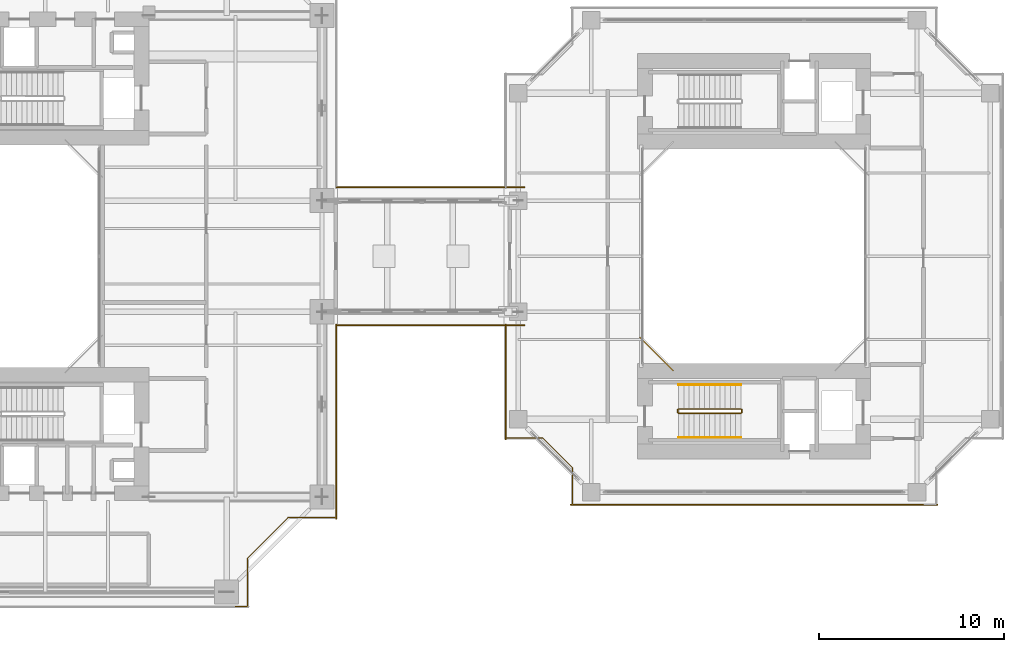
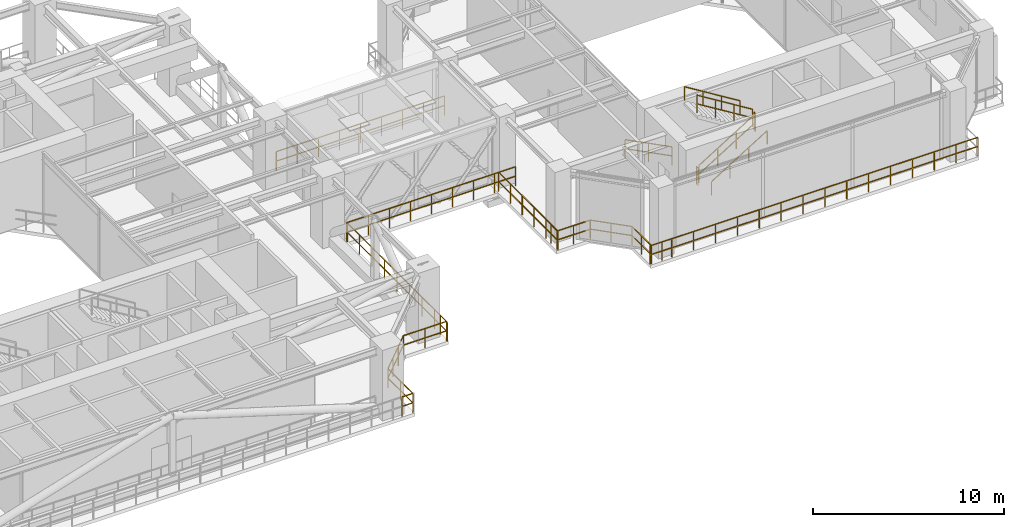
# One storey, part 23 of 26: 14 railings.
"""IFC4 building model written with IfcOpenShell, lengths in metres."""

from ifc_helpers import new_model, si_unit, direction, frame, origin, origin_2d, place, context, subcontext, project, spatial, rectangle, extrude, material, type_object, element, save


model = new_model("IFC4")

# Units and contexts
model_context = context("Model", 3, precision=1e-05, world=origin(), true_north=direction((0.0, 1.0)))
body_context = subcontext(model_context, "Body", "Model", "MODEL_VIEW")
ifc_project = project(units=[si_unit("LENGTHUNIT", "METRE"), si_unit("AREAUNIT", "SQUARE_METRE"), si_unit("VOLUMEUNIT", "CUBIC_METRE"), si_unit("PLANEANGLEUNIT", "RADIAN"), si_unit("MASSUNIT", "GRAM", prefix="KILO"), si_unit("THERMODYNAMICTEMPERATUREUNIT", "KELVIN"), si_unit("POWERUNIT", "WATT")], contexts=[model_context])

# Site, building, storey
site_placement = place(None, origin())
site = spatial("IfcSite", under=ifc_project, at=site_placement, CompositionType="ELEMENT")
building_placement = place(site_placement, origin())
building = spatial("IfcBuilding", under=site, at=building_placement, Name="Qiaomeng Ring Towers", CompositionType="ELEMENT")
storey_placement = place(building_placement, frame((0.0, 0.0, 45.75)))
storey = spatial("IfcBuildingStorey", under=building, at=storey_placement, Name="L12", CompositionType="ELEMENT", Elevation=45.75)

# Railings
ifc_material_1 = material(Name="Low-E pale-green laminated safety glass", Category="glass")
railing_type_1 = type_object("IfcRailingType", Name="ARC-RL-BAL1", PredefinedType="BALUSTRADE", material=ifc_material_1)
railing_1_placement = place(storey_placement, frame((54.320068359375, 18.6201171875, 0.0)))
element("IfcRailing", 1, at=railing_1_placement, inside=storey, type_object=railing_type_1, Name="L12 Balustrade ARC-BAL-WELL2-L12-4", PredefinedType="BALUSTRADE", context=body_context, shape_type="SweptSolid", body=[
    extrude(rectangle(XDim=0.048095703125, YDim=0.048095703125, at=origin_2d()), frame((0.0, 0.0, 1.17578125), z_axis=(0.707106781187, -0.707106781187, 0.0), x_axis=(0.707106781187, 0.707106781187, 0.0)), (0.0, 0.0, 1.0), 2.545654296875),
    extrude(rectangle(XDim=0.048095703125, YDim=0.048095703125, at=origin_2d()), frame((0.0, 0.0, 0.60009765625), z_axis=(0.707106781187, -0.707106781187, 0.0), x_axis=(0.707106781187, 0.707106781187, 0.0)), (0.0, 0.0, 1.0), 2.545654296875),
    extrude(rectangle(XDim=0.0419921875, YDim=0.0419921875, at=origin_2d()), origin(), (0.0, 0.0, 1.0), 1.15185546875),
    extrude(rectangle(XDim=0.0419921875, YDim=0.0419921875, at=origin_2d()), frame((0.89990234375, -0.89990234375, 0.0)), (0.0, 0.0, 1.0), 1.15185546875),
    extrude(rectangle(XDim=0.0419921875, YDim=0.0419921875, at=origin_2d()), frame((1.800048828125, -1.800048828125, 0.0)), (0.0, 0.0, 1.0), 1.15185546875),
])
railing_2_placement = place(storey_placement, frame((47.080078125, 13.830078125, 0.0)))
element("IfcRailing", 2, at=railing_2_placement, inside=storey, type_object=railing_type_1, Name="L12 Balustrade ARC-BAL-NOTCH2-L12-SW", PredefinedType="BALUSTRADE", context=body_context, shape_type="SweptSolid", body=[
    extrude(rectangle(XDim=0.048095703125, YDim=0.048095703125, at=origin_2d()), frame((0.0, 0.0, 1.17578125), z_axis=(0.0, -1.0, 0.0), x_axis=(1.0, 0.0, 0.0)), (0.0, 0.0, 1.0), 0.650146484375),
    extrude(rectangle(XDim=0.048095703125, YDim=0.048095703125, at=origin_2d()), frame((0.0, 0.0, 0.60009765625), z_axis=(0.0, -1.0, 0.0), x_axis=(1.0, 0.0, 0.0)), (0.0, 0.0, 1.0), 0.650146484375),
    extrude(rectangle(XDim=0.048095703125, YDim=0.048095703125, at=origin_2d()), frame((0.0, -0.650146484375, 1.17578125), z_axis=(1.0, 0.0, 0.0), x_axis=(0.0, 1.0, 0.0)), (0.0, 0.0, 1.0), 2.0),
    extrude(rectangle(XDim=0.048095703125, YDim=0.048095703125, at=origin_2d()), frame((0.0, -0.650146484375, 0.60009765625), z_axis=(1.0, 0.0, 0.0), x_axis=(0.0, 1.0, 0.0)), (0.0, 0.0, 1.0), 2.0),
    extrude(rectangle(XDim=0.048095703125, YDim=0.048095703125, at=origin_2d()), frame((2.0, -0.650146484375, 1.17578125), z_axis=(0.707106781187, -0.707106781187, 0.0), x_axis=(0.707106781187, 0.707106781187, 0.0)), (0.0, 0.0, 1.0), 2.262451171875),
    extrude(rectangle(XDim=0.048095703125, YDim=0.048095703125, at=origin_2d()), frame((2.0, -0.650146484375, 0.60009765625), z_axis=(0.707106781187, -0.707106781187, 0.0), x_axis=(0.707106781187, 0.707106781187, 0.0)), (0.0, 0.0, 1.0), 2.262451171875),
    extrude(rectangle(XDim=0.048095703125, YDim=0.048095703125, at=origin_2d()), frame((3.599853515625, -2.25, 1.17578125), z_axis=(0.0, -1.0, 0.0), x_axis=(1.0, 0.0, 0.0)), (0.0, 0.0, 1.0), 2.0),
    extrude(rectangle(XDim=0.048095703125, YDim=0.048095703125, at=origin_2d()), frame((3.599853515625, -2.25, 0.60009765625), z_axis=(0.0, -1.0, 0.0), x_axis=(1.0, 0.0, 0.0)), (0.0, 0.0, 1.0), 2.0),
    extrude(rectangle(XDim=0.048095703125, YDim=0.048095703125, at=origin_2d()), frame((3.599853515625, -4.25, 1.17578125), z_axis=(1.0, 0.0, 0.0), x_axis=(0.0, 1.0, 0.0)), (0.0, 0.0, 1.0), 0.650146484375),
    extrude(rectangle(XDim=0.048095703125, YDim=0.048095703125, at=origin_2d()), frame((3.599853515625, -4.25, 0.60009765625), z_axis=(1.0, 0.0, 0.0), x_axis=(0.0, 1.0, 0.0)), (0.0, 0.0, 1.0), 0.650146484375),
    extrude(rectangle(XDim=0.0419921875, YDim=0.0419921875, at=origin_2d()), origin(), (0.0, 0.0, 1.0), 1.15185546875),
    extrude(rectangle(XDim=0.0419921875, YDim=0.0419921875, at=origin_2d()), frame((0.0, -0.650146484375, 0.0)), (0.0, 0.0, 1.0), 1.15185546875),
    extrude(rectangle(XDim=0.0419921875, YDim=0.0419921875, at=origin_2d()), frame((1.0, -0.650146484375, 0.0)), (0.0, 0.0, 1.0), 1.15185546875),
    extrude(rectangle(XDim=0.0419921875, YDim=0.0419921875, at=origin_2d()), frame((2.0, -0.650146484375, 0.0)), (0.0, 0.0, 1.0), 1.15185546875),
    extrude(rectangle(XDim=0.0419921875, YDim=0.0419921875, at=origin_2d()), frame((2.7998046875, -1.4501953125, 0.0)), (0.0, 0.0, 1.0), 1.15185546875),
    extrude(rectangle(XDim=0.0419921875, YDim=0.0419921875, at=origin_2d()), frame((3.599853515625, -2.25, 0.0)), (0.0, 0.0, 1.0), 1.15185546875),
    extrude(rectangle(XDim=0.0419921875, YDim=0.0419921875, at=origin_2d()), frame((3.599853515625, -3.25, 0.0)), (0.0, 0.0, 1.0), 1.15185546875),
    extrude(rectangle(XDim=0.0419921875, YDim=0.0419921875, at=origin_2d()), frame((3.599853515625, -4.25, 0.0)), (0.0, 0.0, 1.0), 1.15185546875),
    extrude(rectangle(XDim=0.0419921875, YDim=0.0419921875, at=origin_2d()), frame((4.25, -4.25, 0.0)), (0.0, 0.0, 1.0), 1.15185546875),
])
railing_3_placement = place(storey_placement, frame((50.60009765625, 9.580078125, 0.0)))
element("IfcRailing", 3, at=railing_3_placement, inside=storey, type_object=railing_type_1, Name="L12 Balustrade ARC-BAL-T2S-L12", PredefinedType="BALUSTRADE", context=body_context, shape_type="SweptSolid", body=[
    extrude(rectangle(XDim=0.048095703125, YDim=0.048095703125, at=origin_2d()), frame((0.0, 0.0, 1.17578125), z_axis=(1.0, 0.0, 0.0), x_axis=(0.0, 1.0, 0.0)), (0.0, 0.0, 1.0), 19.7998046875),
    extrude(rectangle(XDim=0.048095703125, YDim=0.048095703125, at=origin_2d()), frame((0.0, 0.0, 0.60009765625), z_axis=(1.0, 0.0, 0.0), x_axis=(0.0, 1.0, 0.0)), (0.0, 0.0, 1.0), 19.7998046875),
    extrude(rectangle(XDim=0.0419921875, YDim=0.0419921875, at=origin_2d()), origin(), (0.0, 0.0, 1.0), 1.15185546875),
    extrude(rectangle(XDim=0.0419921875, YDim=0.0419921875, at=origin_2d()), frame((1.320068359375, 0.0, 0.0)), (0.0, 0.0, 1.0), 1.15185546875),
    extrude(rectangle(XDim=0.0419921875, YDim=0.0419921875, at=origin_2d()), frame((2.639892578125, 0.0, 0.0)), (0.0, 0.0, 1.0), 1.15185546875),
    extrude(rectangle(XDim=0.0419921875, YDim=0.0419921875, at=origin_2d()), frame((3.9599609375, 0.0, 0.0)), (0.0, 0.0, 1.0), 1.15185546875),
    extrude(rectangle(XDim=0.0419921875, YDim=0.0419921875, at=origin_2d()), frame((5.280029296875, 0.0, 0.0)), (0.0, 0.0, 1.0), 1.15185546875),
    extrude(rectangle(XDim=0.0419921875, YDim=0.0419921875, at=origin_2d()), frame((6.599853515625, 0.0, 0.0)), (0.0, 0.0, 1.0), 1.15185546875),
    extrude(rectangle(XDim=0.0419921875, YDim=0.0419921875, at=origin_2d()), frame((7.919921875, 0.0, 0.0)), (0.0, 0.0, 1.0), 1.15185546875),
    extrude(rectangle(XDim=0.0419921875, YDim=0.0419921875, at=origin_2d()), frame((9.239990234375, 0.0, 0.0)), (0.0, 0.0, 1.0), 1.15185546875),
    extrude(rectangle(XDim=0.0419921875, YDim=0.0419921875, at=origin_2d()), frame((10.559814453125, 0.0, 0.0)), (0.0, 0.0, 1.0), 1.15185546875),
    extrude(rectangle(XDim=0.0419921875, YDim=0.0419921875, at=origin_2d()), frame((11.8798828125, 0.0, 0.0)), (0.0, 0.0, 1.0), 1.15185546875),
    extrude(rectangle(XDim=0.0419921875, YDim=0.0419921875, at=origin_2d()), frame((13.199951171875, 0.0, 0.0)), (0.0, 0.0, 1.0), 1.15185546875),
    extrude(rectangle(XDim=0.0419921875, YDim=0.0419921875, at=origin_2d()), frame((14.519775390625, 0.0, 0.0)), (0.0, 0.0, 1.0), 1.15185546875),
    extrude(rectangle(XDim=0.0419921875, YDim=0.0419921875, at=origin_2d()), frame((15.83984375, 0.0, 0.0)), (0.0, 0.0, 1.0), 1.15185546875),
    extrude(rectangle(XDim=0.0419921875, YDim=0.0419921875, at=origin_2d()), frame((17.159912109375, 0.0, 0.0)), (0.0, 0.0, 1.0), 1.15185546875),
    extrude(rectangle(XDim=0.0419921875, YDim=0.0419921875, at=origin_2d()), frame((18.479736328125, 0.0, 0.0)), (0.0, 0.0, 1.0), 1.15185546875),
    extrude(rectangle(XDim=0.0419921875, YDim=0.0419921875, at=origin_2d()), frame((19.7998046875, 0.0, 0.0)), (0.0, 0.0, 1.0), 1.15185546875),
])
ifc_material_2 = material(Name="Stainless steel 316", Category="steel")
railing_type_2 = type_object("IfcRailingType", Name="ARC-RL-BAL2", PredefinedType="BALUSTRADE", material=ifc_material_2)
railing_4_placement = place(storey_placement, frame((32.469970703125, 4.080078125, 0.0)))
element("IfcRailing", 4, at=railing_4_placement, inside=storey, type_object=railing_type_2, Name="L12 Balustrade ARC-BAL-REF-CNR-L12-SE", PredefinedType="BALUSTRADE", context=body_context, shape_type="SweptSolid", body=[
    extrude(rectangle(XDim=0.048095703125, YDim=0.048095703125, at=origin_2d()), frame((0.0, 0.0, 1.22607421875), z_axis=(1.0, 0.0, 0.0), x_axis=(0.0, 1.0, 0.0)), (0.0, 0.0, 1.0), 0.650146484375),
    extrude(rectangle(XDim=0.048095703125, YDim=0.048095703125, at=origin_2d()), frame((0.0, 0.0, 0.625), z_axis=(1.0, 0.0, 0.0), x_axis=(0.0, 1.0, 0.0)), (0.0, 0.0, 1.0), 0.650146484375),
    extrude(rectangle(XDim=0.048095703125, YDim=0.048095703125, at=origin_2d()), frame((0.650146484375, 0.0, 1.22607421875), z_axis=(0.0, 1.0, 0.0), x_axis=(-1.0, 0.0, 0.0)), (0.0, 0.0, 1.0), 2.599853515625),
    extrude(rectangle(XDim=0.048095703125, YDim=0.048095703125, at=origin_2d()), frame((0.650146484375, 0.0, 0.625), z_axis=(0.0, 1.0, 0.0), x_axis=(-1.0, 0.0, 0.0)), (0.0, 0.0, 1.0), 2.599853515625),
    extrude(rectangle(XDim=0.048095703125, YDim=0.048095703125, at=origin_2d()), frame((0.650146484375, 2.599853515625, 1.22607421875), z_axis=(0.707106781187, 0.707106781187, 0.0), x_axis=(-0.707106781187, 0.707106781187, 0.0)), (0.0, 0.0, 1.0), 3.111083984375),
    extrude(rectangle(XDim=0.048095703125, YDim=0.048095703125, at=origin_2d()), frame((0.650146484375, 2.599853515625, 0.625), z_axis=(0.707106781187, 0.707106781187, 0.0), x_axis=(-0.707106781187, 0.707106781187, 0.0)), (0.0, 0.0, 1.0), 3.111083984375),
    extrude(rectangle(XDim=0.048095703125, YDim=0.048095703125, at=origin_2d()), frame((2.85009765625, 4.7998046875, 1.22607421875), z_axis=(1.0, 0.0, 0.0), x_axis=(0.0, 1.0, 0.0)), (0.0, 0.0, 1.0), 2.599853515625),
    extrude(rectangle(XDim=0.048095703125, YDim=0.048095703125, at=origin_2d()), frame((2.85009765625, 4.7998046875, 0.625), z_axis=(1.0, 0.0, 0.0), x_axis=(0.0, 1.0, 0.0)), (0.0, 0.0, 1.0), 2.599853515625),
    extrude(rectangle(XDim=0.048095703125, YDim=0.048095703125, at=origin_2d()), frame((5.449951171875, 4.7998046875, 1.22607421875), z_axis=(0.0, 1.0, 0.0), x_axis=(-1.0, 0.0, 0.0)), (0.0, 0.0, 1.0), 0.650146484375),
    extrude(rectangle(XDim=0.048095703125, YDim=0.048095703125, at=origin_2d()), frame((5.449951171875, 4.7998046875, 0.625), z_axis=(0.0, 1.0, 0.0), x_axis=(-1.0, 0.0, 0.0)), (0.0, 0.0, 1.0), 0.650146484375),
    extrude(rectangle(XDim=0.0419921875, YDim=0.0419921875, at=origin_2d()), origin(), (0.0, 0.0, 1.0), 1.201904296875),
    extrude(rectangle(XDim=0.0419921875, YDim=0.0419921875, at=origin_2d()), frame((0.650146484375, 0.0, 0.0)), (0.0, 0.0, 1.0), 1.201904296875),
    extrude(rectangle(XDim=0.0419921875, YDim=0.0419921875, at=origin_2d()), frame((0.650146484375, 1.2998046875, 0.0)), (0.0, 0.0, 1.0), 1.201904296875),
    extrude(rectangle(XDim=0.0419921875, YDim=0.0419921875, at=origin_2d()), frame((0.650146484375, 2.599853515625, 0.0)), (0.0, 0.0, 1.0), 1.201904296875),
    extrude(rectangle(XDim=0.0419921875, YDim=0.0419921875, at=origin_2d()), frame((1.383544921875, 3.333251953125, 0.0)), (0.0, 0.0, 1.0), 1.201904296875),
    extrude(rectangle(XDim=0.0419921875, YDim=0.0419921875, at=origin_2d()), frame((2.11669921875, 4.06640625, 0.0)), (0.0, 0.0, 1.0), 1.201904296875),
    extrude(rectangle(XDim=0.0419921875, YDim=0.0419921875, at=origin_2d()), frame((2.85009765625, 4.7998046875, 0.0)), (0.0, 0.0, 1.0), 1.201904296875),
    extrude(rectangle(XDim=0.0419921875, YDim=0.0419921875, at=origin_2d()), frame((4.14990234375, 4.7998046875, 0.0)), (0.0, 0.0, 1.0), 1.201904296875),
    extrude(rectangle(XDim=0.0419921875, YDim=0.0419921875, at=origin_2d()), frame((5.449951171875, 4.7998046875, 0.0)), (0.0, 0.0, 1.0), 1.201904296875),
    extrude(rectangle(XDim=0.0419921875, YDim=0.0419921875, at=origin_2d()), frame((5.449951171875, 5.449951171875, 0.0)), (0.0, 0.0, 1.0), 1.201904296875),
])
railing_5_placement = place(storey_placement, frame((37.919921875, 8.800048828125, 0.0)))
element("IfcRailing", 5, at=railing_5_placement, inside=storey, type_object=railing_type_2, Name="L12 Balustrade ARC-BAL-REF-ES-L12", PredefinedType="BALUSTRADE", context=body_context, shape_type="SweptSolid", body=[
    extrude(rectangle(XDim=0.048095703125, YDim=0.048095703125, at=origin_2d()), frame((0.0, 0.0, 1.22607421875), z_axis=(0.0, 1.0, 0.0), x_axis=(-1.0, 0.0, 0.0)), (0.0, 0.0, 1.0), 10.5),
    extrude(rectangle(XDim=0.048095703125, YDim=0.048095703125, at=origin_2d()), frame((0.0, 0.0, 0.625), z_axis=(0.0, 1.0, 0.0), x_axis=(-1.0, 0.0, 0.0)), (0.0, 0.0, 1.0), 10.5),
    extrude(rectangle(XDim=0.0419921875, YDim=0.0419921875, at=origin_2d()), origin(), (0.0, 0.0, 1.0), 1.201904296875),
    extrude(rectangle(XDim=0.0419921875, YDim=0.0419921875, at=origin_2d()), frame((0.0, 1.3125, 0.0)), (0.0, 0.0, 1.0), 1.201904296875),
    extrude(rectangle(XDim=0.0419921875, YDim=0.0419921875, at=origin_2d()), frame((0.0, 2.625, 0.0)), (0.0, 0.0, 1.0), 1.201904296875),
    extrude(rectangle(XDim=0.0419921875, YDim=0.0419921875, at=origin_2d()), frame((0.0, 3.9375, 0.0)), (0.0, 0.0, 1.0), 1.201904296875),
    extrude(rectangle(XDim=0.0419921875, YDim=0.0419921875, at=origin_2d()), frame((0.0, 5.25, 0.0)), (0.0, 0.0, 1.0), 1.201904296875),
    extrude(rectangle(XDim=0.0419921875, YDim=0.0419921875, at=origin_2d()), frame((0.0, 6.5625, 0.0)), (0.0, 0.0, 1.0), 1.201904296875),
    extrude(rectangle(XDim=0.0419921875, YDim=0.0419921875, at=origin_2d()), frame((0.0, 7.875, 0.0)), (0.0, 0.0, 1.0), 1.201904296875),
    extrude(rectangle(XDim=0.0419921875, YDim=0.0419921875, at=origin_2d()), frame((0.0, 9.1875, 0.0)), (0.0, 0.0, 1.0), 1.201904296875),
    extrude(rectangle(XDim=0.0419921875, YDim=0.0419921875, at=origin_2d()), frame((0.0, 10.5, 0.0)), (0.0, 0.0, 1.0), 1.201904296875),
])
for number, where, name in (
    (6, (37.949951171875, 19.280029296875, 0.0), "L12 Balustrade ARC-BAL-SB1-S"),
    (7, (37.949951171875, 26.719970703125, 0.0), "L12 Balustrade ARC-BAL-SB1-N"),
):
    element("IfcRailing", number, at=place(storey_placement, frame(where)), inside=storey, type_object=railing_type_2, Name=name, PredefinedType="BALUSTRADE", context=body_context, shape_type="SweptSolid", body=[
        extrude(rectangle(XDim=0.048095703125, YDim=0.048095703125, at=origin_2d()), frame((0.0, 0.0, 1.22607421875), z_axis=(1.0, 0.0, 0.0), x_axis=(0.0, 1.0, 0.0)), (0.0, 0.0, 1.0), 10.150146484375),
        extrude(rectangle(XDim=0.048095703125, YDim=0.048095703125, at=origin_2d()), frame((0.0, 0.0, 0.625), z_axis=(1.0, 0.0, 0.0), x_axis=(0.0, 1.0, 0.0)), (0.0, 0.0, 1.0), 10.150146484375),
        extrude(rectangle(XDim=0.0419921875, YDim=0.0419921875, at=origin_2d()), origin(), (0.0, 0.0, 1.0), 1.201904296875),
        extrude(rectangle(XDim=0.0419921875, YDim=0.0419921875, at=origin_2d()), frame((1.268798828125, 0.0, 0.0)), (0.0, 0.0, 1.0), 1.201904296875),
        extrude(rectangle(XDim=0.0419921875, YDim=0.0419921875, at=origin_2d()), frame((2.53759765625, 0.0, 0.0)), (0.0, 0.0, 1.0), 1.201904296875),
        extrude(rectangle(XDim=0.0419921875, YDim=0.0419921875, at=origin_2d()), frame((3.806396484375, 0.0, 0.0)), (0.0, 0.0, 1.0), 1.201904296875),
        extrude(rectangle(XDim=0.0419921875, YDim=0.0419921875, at=origin_2d()), frame((5.0751953125, 0.0, 0.0)), (0.0, 0.0, 1.0), 1.201904296875),
        extrude(rectangle(XDim=0.0419921875, YDim=0.0419921875, at=origin_2d()), frame((6.34375, 0.0, 0.0)), (0.0, 0.0, 1.0), 1.201904296875),
        extrude(rectangle(XDim=0.0419921875, YDim=0.0419921875, at=origin_2d()), frame((7.612548828125, 0.0, 0.0)), (0.0, 0.0, 1.0), 1.201904296875),
        extrude(rectangle(XDim=0.0419921875, YDim=0.0419921875, at=origin_2d()), frame((8.88134765625, 0.0, 0.0)), (0.0, 0.0, 1.0), 1.201904296875),
        extrude(rectangle(XDim=0.0419921875, YDim=0.0419921875, at=origin_2d()), frame((10.150146484375, 0.0, 0.0)), (0.0, 0.0, 1.0), 1.201904296875),
    ])
railing_6_placement = place(storey_placement, frame((47.080078125, 13.10009765625, 0.0)))
element("IfcRailing", 8, at=railing_6_placement, inside=storey, type_object=railing_type_2, Name="L12 Balustrade ARC-BAL-T2WS-L12", PredefinedType="BALUSTRADE", context=body_context, shape_type="SweptSolid", body=[
    extrude(rectangle(XDim=0.048095703125, YDim=0.048095703125, at=origin_2d()), frame((0.0, 0.0, 1.22607421875), z_axis=(0.0, 1.0, 0.0), x_axis=(-1.0, 0.0, 0.0)), (0.0, 0.0, 1.0), 6.199951171875),
    extrude(rectangle(XDim=0.048095703125, YDim=0.048095703125, at=origin_2d()), frame((0.0, 0.0, 0.625), z_axis=(0.0, 1.0, 0.0), x_axis=(-1.0, 0.0, 0.0)), (0.0, 0.0, 1.0), 6.199951171875),
    extrude(rectangle(XDim=0.0419921875, YDim=0.0419921875, at=origin_2d()), origin(), (0.0, 0.0, 1.0), 1.201904296875),
    extrude(rectangle(XDim=0.0419921875, YDim=0.0419921875, at=origin_2d()), frame((0.0, 1.239990234375, 0.0)), (0.0, 0.0, 1.0), 1.201904296875),
    extrude(rectangle(XDim=0.0419921875, YDim=0.0419921875, at=origin_2d()), frame((0.0, 2.47998046875, 0.0)), (0.0, 0.0, 1.0), 1.201904296875),
    extrude(rectangle(XDim=0.0419921875, YDim=0.0419921875, at=origin_2d()), frame((0.0, 3.719970703125, 0.0)), (0.0, 0.0, 1.0), 1.201904296875),
    extrude(rectangle(XDim=0.0419921875, YDim=0.0419921875, at=origin_2d()), frame((0.0, 4.9599609375, 0.0)), (0.0, 0.0, 1.0), 1.201904296875),
    extrude(rectangle(XDim=0.0419921875, YDim=0.0419921875, at=origin_2d()), frame((0.0, 6.199951171875, 0.0)), (0.0, 0.0, 1.0), 1.201904296875),
])
ifc_material_3 = material(Name="Galvanised steel", Category="steel")
railing_type_3 = type_object("IfcRailingType", Name="ARC-RL-GUARD", PredefinedType="GUARDRAIL", material=ifc_material_3)
railing_7_placement = place(storey_placement, frame((56.419921875, 14.510009765625, 0.173095703125)))
element("IfcRailing", 9, at=railing_7_placement, inside=storey, type_object=railing_type_3, Name="L12 ST6 stair guard 1", PredefinedType="GUARDRAIL", context=body_context, shape_type="SweptSolid", body=[
    extrude(rectangle(XDim=0.048095703125, YDim=0.048095703125, at=origin_2d()), frame((0.0, 0.0, 1.1259765625), z_axis=(0.850623216509, 0.0, 0.525775754039), x_axis=(0.0, 1.0, 0.0)), (0.0, 0.0, 1.0), 3.9501953125),
    extrude(rectangle(XDim=0.048095703125, YDim=0.048095703125, at=origin_2d()), frame((0.0, 0.0, 0.574951171875), z_axis=(0.850623216509, 0.0, 0.525775754039), x_axis=(0.0, 1.0, 0.0)), (0.0, 0.0, 1.0), 3.9501953125),
    extrude(rectangle(XDim=0.0419921875, YDim=0.0419921875, at=origin_2d()), origin(), (0.0, 0.0, 1.0), 1.101806640625),
    extrude(rectangle(XDim=0.0419921875, YDim=0.0419921875, at=origin_2d()), frame((1.1201171875, 0.0, 0.6923828125)), (0.0, 0.0, 1.0), 1.101806640625),
    extrude(rectangle(XDim=0.0419921875, YDim=0.0419921875, at=origin_2d()), frame((2.239990234375, 0.0, 1.384521484375)), (0.0, 0.0, 1.0), 1.101806640625),
    extrude(rectangle(XDim=0.0419921875, YDim=0.0419921875, at=origin_2d()), frame((3.360107421875, 0.0, 2.076904296875)), (0.0, 0.0, 1.0), 1.101806640625),
])
railing_8_placement = place(storey_placement, frame((59.830078125, 14.56005859375, 2.25)))
element("IfcRailing", 10, at=railing_8_placement, inside=storey, type_object=railing_type_3, Name="L12 ST6 stair guard 2", PredefinedType="GUARDRAIL", context=body_context, shape_type="SweptSolid", body=[
    extrude(rectangle(XDim=0.048095703125, YDim=0.048095703125, at=origin_2d()), frame((0.0, 0.0, 1.1259765625), z_axis=(0.0, 1.0, 0.0), x_axis=(-1.0, 0.0, 0.0)), (0.0, 0.0, 1.0), 0.139892578125),
    extrude(rectangle(XDim=0.048095703125, YDim=0.048095703125, at=origin_2d()), frame((0.0, 0.0, 0.574951171875), z_axis=(0.0, 1.0, 0.0), x_axis=(-1.0, 0.0, 0.0)), (0.0, 0.0, 1.0), 0.139892578125),
    extrude(rectangle(XDim=0.0419921875, YDim=0.0419921875, at=origin_2d()), origin(), (0.0, 0.0, 1.0), 1.101806640625),
    extrude(rectangle(XDim=0.0419921875, YDim=0.0419921875, at=origin_2d()), frame((0.0, 0.139892578125, 0.0)), (0.0, 0.0, 1.0), 1.101806640625),
])
railing_9_placement = place(storey_placement, frame((59.780029296875, 14.75, 2.423095703125)))
element("IfcRailing", 11, at=railing_9_placement, inside=storey, type_object=railing_type_3, Name="L12 ST6 stair guard 3", PredefinedType="GUARDRAIL", context=body_context, shape_type="SweptSolid", body=[
    extrude(rectangle(XDim=0.048095703125, YDim=0.048095703125, at=origin_2d()), frame((0.0, 0.0, 1.1259765625), z_axis=(-0.850623216509, 0.0, 0.525775754039), x_axis=(0.0, -1.0, 0.0)), (0.0, 0.0, 1.0), 3.9501953125),
    extrude(rectangle(XDim=0.048095703125, YDim=0.048095703125, at=origin_2d()), frame((0.0, 0.0, 0.574951171875), z_axis=(-0.850623216509, 0.0, 0.525775754039), x_axis=(0.0, -1.0, 0.0)), (0.0, 0.0, 1.0), 3.9501953125),
    extrude(rectangle(XDim=0.0419921875, YDim=0.0419921875, at=origin_2d()), origin(), (0.0, 0.0, 1.0), 1.101806640625),
    extrude(rectangle(XDim=0.0419921875, YDim=0.0419921875, at=origin_2d()), frame((-1.1201171875, 0.0, 0.6923828125)), (0.0, 0.0, 1.0), 1.101806640625),
    extrude(rectangle(XDim=0.0419921875, YDim=0.0419921875, at=origin_2d()), frame((-2.239990234375, 0.0, 1.384521484375)), (0.0, 0.0, 1.0), 1.101806640625),
    extrude(rectangle(XDim=0.0419921875, YDim=0.0419921875, at=origin_2d()), frame((-3.360107421875, 0.0, 2.076904296875)), (0.0, 0.0, 1.0), 1.101806640625),
])
railing_10_placement = place(storey_placement, frame((56.3701171875, 14.56005859375, 0.0)))
element("IfcRailing", 12, at=railing_10_placement, inside=storey, type_object=railing_type_3, Name="L12 ST6 stair guard 4", PredefinedType="GUARDRAIL", context=body_context, shape_type="SweptSolid", body=[
    extrude(rectangle(XDim=0.048095703125, YDim=0.048095703125, at=origin_2d()), frame((0.0, 0.0, 1.1259765625), z_axis=(0.0, 1.0, 0.0), x_axis=(-1.0, 0.0, 0.0)), (0.0, 0.0, 1.0), 0.139892578125),
    extrude(rectangle(XDim=0.048095703125, YDim=0.048095703125, at=origin_2d()), frame((0.0, 0.0, 0.574951171875), z_axis=(0.0, 1.0, 0.0), x_axis=(-1.0, 0.0, 0.0)), (0.0, 0.0, 1.0), 0.139892578125),
    extrude(rectangle(XDim=0.0419921875, YDim=0.0419921875, at=origin_2d()), origin(), (0.0, 0.0, 1.0), 1.101806640625),
    extrude(rectangle(XDim=0.0419921875, YDim=0.0419921875, at=origin_2d()), frame((0.0, 0.139892578125, 0.0)), (0.0, 0.0, 1.0), 1.101806640625),
])
railing_type_4 = type_object("IfcRailingType", Name="ARC-RL-HAND", PredefinedType="HANDRAIL", material=ifc_material_2)
railing_11_placement = place(storey_placement, frame((56.419921875, 13.2099609375, 0.173095703125)))
element("IfcRailing", 13, at=railing_11_placement, inside=storey, type_object=railing_type_4, Name="L12 ST6 stair handrail 1", PredefinedType="HANDRAIL", context=body_context, shape_type="SweptSolid", body=[
    extrude(rectangle(XDim=0.048095703125, YDim=0.048095703125, at=origin_2d()), frame((0.0, 0.0, 0.8759765625), z_axis=(0.850623216509, 0.0, 0.525775754039), x_axis=(0.0, 1.0, 0.0)), (0.0, 0.0, 1.0), 3.9501953125),
    extrude(rectangle(XDim=0.0419921875, YDim=0.0419921875, at=origin_2d()), origin(), (0.0, 0.0, 1.0), 0.851806640625),
    extrude(rectangle(XDim=0.0419921875, YDim=0.0419921875, at=origin_2d()), frame((1.1201171875, 0.0, 0.6923828125)), (0.0, 0.0, 1.0), 0.851806640625),
    extrude(rectangle(XDim=0.0419921875, YDim=0.0419921875, at=origin_2d()), frame((2.239990234375, 0.0, 1.384521484375)), (0.0, 0.0, 1.0), 0.851806640625),
    extrude(rectangle(XDim=0.0419921875, YDim=0.0419921875, at=origin_2d()), frame((3.360107421875, 0.0, 2.076904296875)), (0.0, 0.0, 1.0), 0.851806640625),
])
railing_12_placement = place(storey_placement, frame((59.780029296875, 16.050048828125, 2.423095703125)))
element("IfcRailing", 14, at=railing_12_placement, inside=storey, type_object=railing_type_4, Name="L12 ST6 stair handrail 2", PredefinedType="HANDRAIL", context=body_context, shape_type="SweptSolid", body=[
    extrude(rectangle(XDim=0.048095703125, YDim=0.048095703125, at=origin_2d()), frame((0.0, 0.0, 0.8759765625), z_axis=(-0.850623216509, 0.0, 0.525775754039), x_axis=(0.0, -1.0, 0.0)), (0.0, 0.0, 1.0), 3.9501953125),
    extrude(rectangle(XDim=0.0419921875, YDim=0.0419921875, at=origin_2d()), origin(), (0.0, 0.0, 1.0), 0.851806640625),
    extrude(rectangle(XDim=0.0419921875, YDim=0.0419921875, at=origin_2d()), frame((-1.1201171875, 0.0, 0.6923828125)), (0.0, 0.0, 1.0), 0.851806640625),
    extrude(rectangle(XDim=0.0419921875, YDim=0.0419921875, at=origin_2d()), frame((-2.239990234375, 0.0, 1.384521484375)), (0.0, 0.0, 1.0), 0.851806640625),
    extrude(rectangle(XDim=0.0419921875, YDim=0.0419921875, at=origin_2d()), frame((-3.360107421875, 0.0, 2.076904296875)), (0.0, 0.0, 1.0), 0.851806640625),
])

save(model, "model.ifc")
